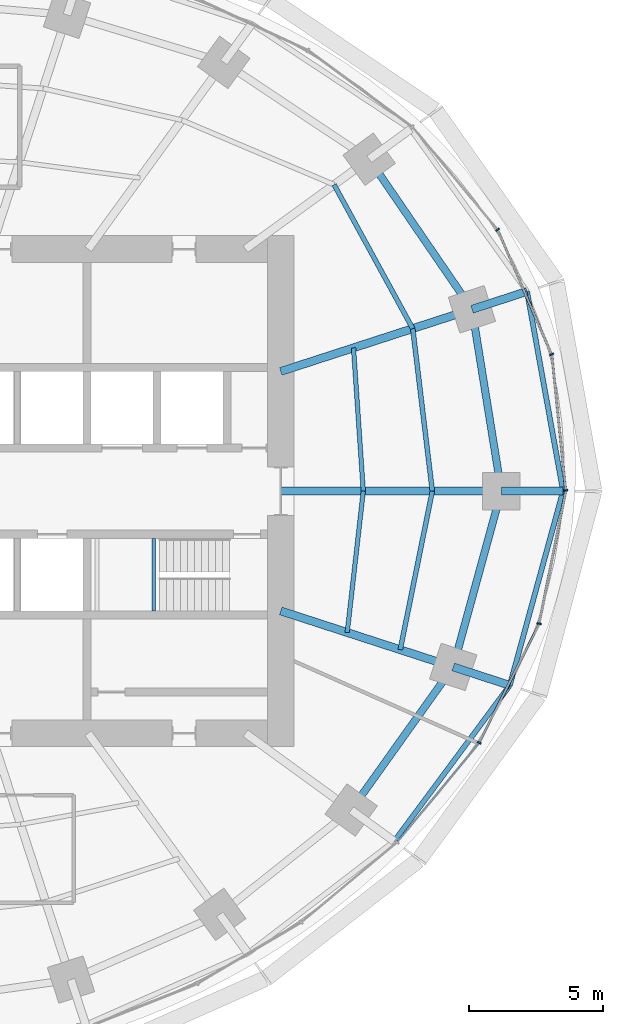
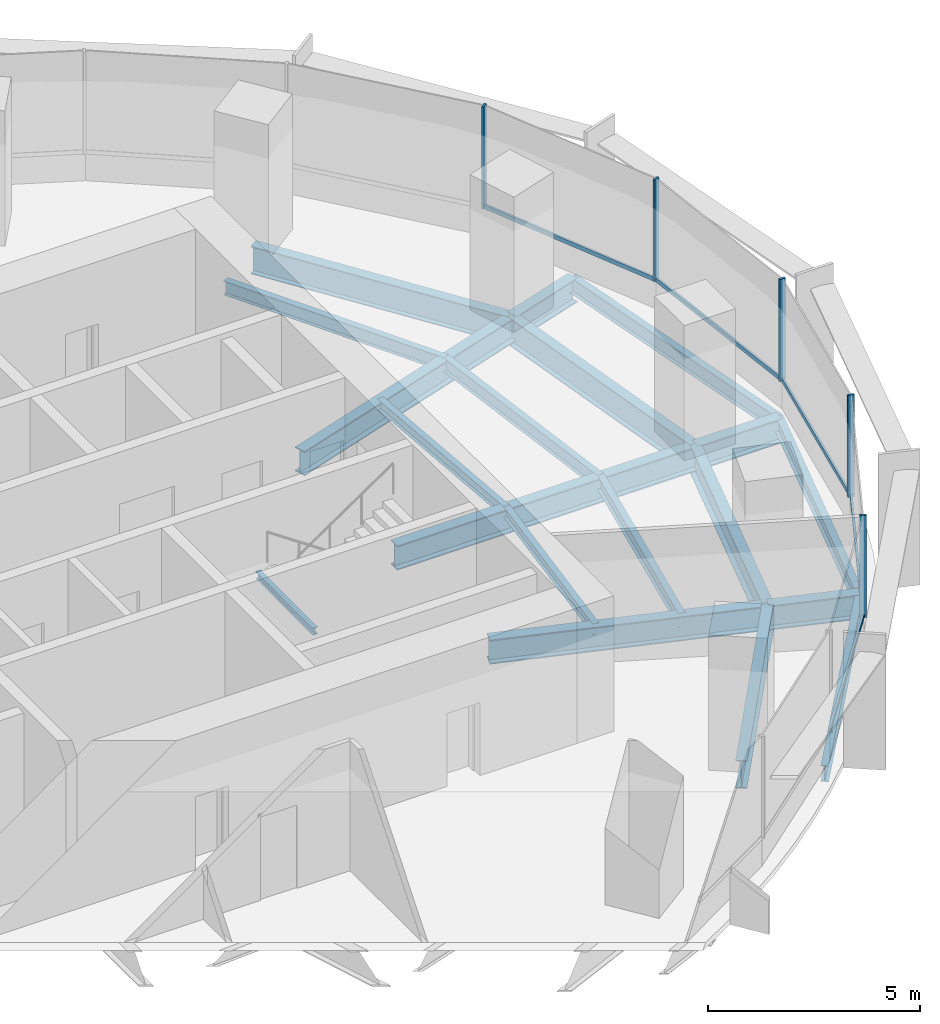
# One storey, part 6 of 14: 19 beams, 10 members, 2 elements without a shape of their own.
"""IFC4 building model written with IfcOpenShell, lengths in metres."""

from ifc_helpers import new_model, si_unit, direction, frame, origin, origin_2d, place, context, subcontext, project, spatial, rectangle, i_section, extrude, material, material_profile, profile_set, type_object, element, aggregate, save


model = new_model("IFC4")

# Units and contexts
model_context = context("Model", 3, precision=1e-05, world=origin(), true_north=direction((0.0, 1.0)))
body_context = subcontext(model_context, "Body", "Model", "MODEL_VIEW")
ifc_project = project(units=[si_unit("LENGTHUNIT", "METRE"), si_unit("AREAUNIT", "SQUARE_METRE"), si_unit("VOLUMEUNIT", "CUBIC_METRE"), si_unit("PLANEANGLEUNIT", "RADIAN"), si_unit("MASSUNIT", "GRAM", prefix="KILO")], contexts=[model_context])

# Site, building, storey
site_placement = place(None, origin())
site = spatial("IfcSite", under=ifc_project, at=site_placement, CompositionType="ELEMENT")
building_placement = place(site_placement, origin())
building = spatial("IfcBuilding", under=site, at=building_placement, Name="Marramba Exchange Tower", CompositionType="ELEMENT")
storey_placement = place(building_placement, frame((0.0, 0.0, 222.800048828125)))
storey = spatial("IfcBuildingStorey", under=building, at=storey_placement, Name="L54", CompositionType="ELEMENT", Elevation=222.800048828125)

# Beams
ifc_material_1 = material(Name="Steel AS/NZS 3679.2 grade 300", Category="steel")
ifc_material_profile_1 = material_profile(ifc_material_1, i_section(OverallWidth=0.300048828125, OverallDepth=0.699951171875, WebThickness=0.010009765625, FlangeThickness=0.031982421875, at=origin_2d()), Name="700WB173")
ifc_profile_set_1 = profile_set([ifc_material_profile_1], Name="Steel AS/NZS 3679.2 grade 300")
beam_type_1 = type_object("IfcBeamType", Name="Cantilever girder 700WB173", PredefinedType="BEAM", material=ifc_profile_set_1)
beam_1_placement = place(storey_placement, frame((21.89990234375, 0.0, -0.510009765625), z_axis=(1.0, 0.0, 0.0), x_axis=(0.0, 1.0, 0.0)))
element("IfcBeam", 1, at=beam_1_placement, inside=storey, type_object=beam_type_1, Name="Cantilever girder L54 TC01", PredefinedType="BEAM", context=body_context, shape_type="SweptSolid", body=[
    extrude(i_section(OverallWidth=0.300048828125, OverallDepth=0.699951171875, WebThickness=0.010009765625, FlangeThickness=0.031982421875, at=origin_2d()), origin(), (0.0, 0.0, 1.0), 2.294189453125),
])
beam_2_placement = place(storey_placement, frame((20.808349609375, 6.760986328125, -0.510009765625), z_axis=(0.951051587859, 0.309032162129, 0.0), x_axis=(-0.309032162129, 0.951051587859, 0.0)))
element("IfcBeam", 2, at=beam_2_placement, inside=storey, type_object=beam_type_1, Name="Cantilever girder L54 TC02", PredefinedType="BEAM", context=body_context, shape_type="SweptSolid", body=[
    extrude(i_section(OverallWidth=0.300048828125, OverallDepth=0.699951171875, WebThickness=0.010009765625, FlangeThickness=0.031982421875, at=origin_2d()), origin(), (0.0, 0.0, 1.0), 2.150390625),
])
beam_3_placement = place(storey_placement, frame((20.109375, -6.533935546875, -0.510009765625), z_axis=(0.951050283347, -0.309036176758, 0.0), x_axis=(0.309036176758, 0.951050283347, 0.0)))
element("IfcBeam", 3, at=beam_3_placement, inside=storey, type_object=beam_type_1, Name="Cantilever girder L54 TC20", PredefinedType="BEAM", context=body_context, shape_type="SweptSolid", body=[
    extrude(i_section(OverallWidth=0.300048828125, OverallDepth=0.699951171875, WebThickness=0.010009765625, FlangeThickness=0.031982421875, at=origin_2d()), origin(), (0.0, 0.0, 1.0), 2.212890625),
])
ifc_material_2 = material(Name="Steel AS/NZS 3679.1 grade 300", Category="steel")
ifc_material_profile_2 = material_profile(ifc_material_2, i_section(OverallWidth=0.166015625, OverallDepth=0.306884765625, WebThickness=0.006591796875, FlangeThickness=0.01171875, FilletRadius=0.011474609375, at=origin_2d()), Name="310UB46.2")
ifc_profile_set_2 = profile_set([ifc_material_profile_2], Name="Steel AS/NZS 3679.1 grade 300")
beam_type_2 = type_object("IfcBeamType", Name="Floor joist 310UB46.2", PredefinedType="JOIST", material=ifc_profile_set_2)
beam_4_placement = place(storey_placement, frame((16.7666015625, 0.0, -0.3134765625), z_axis=(-0.068096259546, 0.99767875563, 0.0), x_axis=(-0.99767875563, -0.068096259546, 0.0)))
element("IfcBeam", 4, at=beam_4_placement, inside=storey, type_object=beam_type_2, Name="Joist L54 bay 01 row 1", PredefinedType="JOIST", context=body_context, shape_type="SweptSolid", body=[
    extrude(i_section(OverallWidth=0.166015625, OverallDepth=0.306884765625, WebThickness=0.006591796875, FlangeThickness=0.01171875, FilletRadius=0.011474609375, at=origin_2d()), origin(), (0.0, 0.0, 1.0), 5.342041015625),
])
beam_5_placement = place(storey_placement, frame((16.169677734375, -5.25390625, -0.3134765625), z_axis=(0.112888968594, 0.993607609054, 0.0), x_axis=(-0.993607609054, 0.112888968594, 0.0)))
element("IfcBeam", 5, at=beam_5_placement, inside=storey, type_object=beam_type_2, Name="Joist L54 bay 20 row 1", PredefinedType="JOIST", context=body_context, shape_type="SweptSolid", body=[
    extrude(i_section(OverallWidth=0.166015625, OverallDepth=0.306884765625, WebThickness=0.006591796875, FlangeThickness=0.01171875, FilletRadius=0.011474609375, at=origin_2d()), origin(), (0.0, 0.0, 1.0), 5.28759765625),
])
ifc_material_profile_3 = material_profile(ifc_material_2, i_section(OverallWidth=0.177978515625, OverallDepth=0.406005859375, WebThickness=0.0078125, FlangeThickness=0.0126953125, FilletRadius=0.011474609375, at=origin_2d()), Name="410UB59.7")
ifc_profile_set_3 = profile_set([ifc_material_profile_3], Name="Steel AS/NZS 3679.1 grade 300")
beam_type_3 = type_object("IfcBeamType", Name="Floor joist 410UB59.7", PredefinedType="JOIST", material=ifc_profile_set_3)
beam_6_placement = place(storey_placement, frame((19.333251953125, 0.0, -0.363037109375), z_axis=(-0.119523078538, 0.992831422597, 0.0), x_axis=(-0.992831422597, -0.119523078538, 0.0)))
element("IfcBeam", 6, at=beam_6_placement, inside=storey, type_object=beam_type_3, Name="Joist L54 bay 01 row 2", PredefinedType="JOIST", context=body_context, shape_type="SweptSolid", body=[
    extrude(i_section(OverallWidth=0.177978515625, OverallDepth=0.406005859375, WebThickness=0.0078125, FlangeThickness=0.0126953125, FilletRadius=0.011474609375, at=origin_2d()), origin(), (0.0, 0.0, 1.0), 6.089111328125),
])
beam_7_placement = place(storey_placement, frame((18.60546875, 6.04541015625, -0.363037109375), z_axis=(-0.479584443791, 0.877495732909, 0.0), x_axis=(-0.877495732909, -0.479584443791, 0.0)))
element("IfcBeam", 7, at=beam_7_placement, inside=storey, type_object=beam_type_3, Name="Joist L54 bay 02 row 2", PredefinedType="JOIST", context=body_context, shape_type="SweptSolid", body=[
    extrude(i_section(OverallWidth=0.177978515625, OverallDepth=0.406005859375, WebThickness=0.0078125, FlangeThickness=0.0126953125, FilletRadius=0.011474609375, at=origin_2d()), origin(), (0.0, 0.0, 1.0), 6.094970703125),
])
beam_8_placement = place(storey_placement, frame((18.1396484375, -5.893798828125, -0.363037109375), z_axis=(0.198489047047, 0.980103105904, 0.0), x_axis=(-0.980103105904, 0.198489047047, 0.0)))
element("IfcBeam", 8, at=beam_8_placement, inside=storey, type_object=beam_type_3, Name="Joist L54 bay 20 row 2", PredefinedType="JOIST", context=body_context, shape_type="SweptSolid", body=[
    extrude(i_section(OverallWidth=0.177978515625, OverallDepth=0.406005859375, WebThickness=0.0078125, FlangeThickness=0.0126953125, FilletRadius=0.011474609375, at=origin_2d()), origin(), (0.0, 0.0, 1.0), 6.013427734375),
])

# Curtain wall, members
ifc_material_3 = material(Name="Aluminium framing, bronze anodised", Category="aluminium")
curtain_wall_type = type_object("IfcCurtainWallType", Name="Office ribbon curtain wall", PredefinedType="USERDEFINED", material=ifc_material_3)
curtain_wall_1_placement = place(storey_placement, origin())
curtain_wall_1 = element("IfcCurtainWall", 9, at=curtain_wall_1_placement, inside=storey, type_object=curtain_wall_type, Name="Curtain wall CW4 L54 F01-F05", ObjectType="RIBBON CURTAIN WALL", PredefinedType="USERDEFINED")
ifc_material_4 = material(Name="Aluminium mullion, bronze anodised", Category="aluminium")
ifc_material_profile_4 = material_profile(ifc_material_4, rectangle(XDim=0.159912109375, YDim=0.06005859375, at=origin_2d()), Name="CW4 mullion 60x160")
ifc_profile_set_4 = profile_set([ifc_material_profile_4], Name="Aluminium mullion, bronze anodised")
member_type_1 = type_object("IfcMemberType", Name="Office ribbon curtain wall mullion", PredefinedType="MULLION", material=ifc_profile_set_4)
member_1_placement = place(storey_placement, frame((24.291015625, 0.02978515625, 0.800048828125), z_axis=(0.0, 0.0, 1.0), x_axis=(-0.994843446001, -0.101422472607, 0.0)))
member_1 = element("IfcMember", 10, at=member_1_placement, type_object=member_type_1, Name="CW4 mullion 1", PredefinedType="MULLION", context=body_context, shape_type="SweptSolid", body=[
    extrude(rectangle(XDim=0.159912109375, YDim=0.06005859375, at=origin_2d()), origin(), (0.0, 0.0, 1.0), 2.93994140625),
])
member_2_placement = place(storey_placement, frame((23.766845703125, 5.081787109375, 0.800048828125), z_axis=(0.0, 0.0, 1.0), x_axis=(-0.918167104527, -0.396193346946, 0.0)))
member_2 = element("IfcMember", 11, at=member_2_placement, type_object=member_type_1, Name="CW4 mullion 1", PredefinedType="MULLION", context=body_context, shape_type="SweptSolid", body=[
    extrude(rectangle(XDim=0.159912109375, YDim=0.06005859375, at=origin_2d()), origin(), (0.0, 0.0, 1.0), 2.93994140625),
])
member_3_placement = place(storey_placement, frame((21.757080078125, 9.718505859375, 0.800048828125), z_axis=(0.0, 0.0, 1.0), x_axis=(-0.770574258342, -0.637350227411, 0.0)))
member_3 = element("IfcMember", 12, at=member_3_placement, type_object=member_type_1, Name="CW4 mullion 1", PredefinedType="MULLION", context=body_context, shape_type="SweptSolid", body=[
    extrude(rectangle(XDim=0.159912109375, YDim=0.06005859375, at=origin_2d()), origin(), (0.0, 0.0, 1.0), 2.93994140625),
])

curtain_wall_2_placement = place(storey_placement, origin())
curtain_wall_2 = element("IfcCurtainWall", 13, at=curtain_wall_2_placement, inside=storey, type_object=curtain_wall_type, Name="Curtain wall CW4 L54 F26-F30", ObjectType="RIBBON CURTAIN WALL", PredefinedType="USERDEFINED")
member_4_placement = place(storey_placement, frame((21.07568359375, -9.3505859375, 0.800048828125), z_axis=(0.0, 0.0, 1.0), x_axis=(-0.892689067591, 0.450673083956, 0.0)))
member_4 = element("IfcMember", 14, at=member_4_placement, type_object=member_type_1, Name="CW4 mullion 1", PredefinedType="MULLION", context=body_context, shape_type="SweptSolid", body=[
    extrude(rectangle(XDim=0.159912109375, YDim=0.06005859375, at=origin_2d()), origin(), (0.0, 0.0, 1.0), 2.93994140625),
])
member_5_placement = place(storey_placement, frame((23.30224609375, -4.92236328125, 0.800048828125), z_axis=(0.0, 0.0, 1.0), x_axis=(-0.980303812539, 0.197495405316, 0.0)))
member_5 = element("IfcMember", 15, at=member_5_placement, type_object=member_type_1, Name="CW4 mullion 1", PredefinedType="MULLION", context=body_context, shape_type="SweptSolid", body=[
    extrude(rectangle(XDim=0.159912109375, YDim=0.06005859375, at=origin_2d()), origin(), (0.0, 0.0, 1.0), 2.93994140625),
])

# Member
ifc_material_5 = material(Name="Aluminium transom, bronze anodised", Category="aluminium")
ifc_material_profile_5 = material_profile(ifc_material_5, rectangle(XDim=0.06005859375, YDim=0.1201171875, at=origin_2d()), Name="CW4 transom 60x120")
ifc_profile_set_5 = profile_set([ifc_material_profile_5], Name="Aluminium transom, bronze anodised")
member_type_2 = type_object("IfcMemberType", Name="Office ribbon curtain wall transom", PredefinedType="USERDEFINED", material=ifc_profile_set_5)
member_6_placement = place(storey_placement, frame((24.287841796875, 0.0595703125, 0.829833984375), z_axis=(-0.101386007846, 0.994847162841, 0.0), x_axis=(-0.994847162841, -0.101386007846, 0.0)))
member_6 = element("IfcMember", 16, at=member_6_placement, type_object=member_type_2, Name="CW4 sill transom", ObjectType="TRANSOM", PredefinedType="USERDEFINED", context=body_context, shape_type="SweptSolid", body=[
    extrude(rectangle(XDim=0.06005859375, YDim=0.1201171875, at=origin_2d()), origin(), (0.0, 0.0, 1.0), 5.020751953125),
])

member_7_placement = place(storey_placement, frame((23.7548828125, 5.109375, 0.829833984375), z_axis=(-0.396177573744, 0.918173910576, 0.0), x_axis=(-0.918173910576, -0.396177573744, 0.0)))
member_7 = element("IfcMember", 17, at=member_7_placement, type_object=member_type_2, Name="CW4 sill transom", ObjectType="TRANSOM", PredefinedType="USERDEFINED", context=body_context, shape_type="SweptSolid", body=[
    extrude(rectangle(XDim=0.06005859375, YDim=0.1201171875, at=origin_2d()), origin(), (0.0, 0.0, 1.0), 4.99462890625),
])

aggregate(curtain_wall_1, [member_1, member_6, member_2, member_7, member_3])

member_8_placement = place(storey_placement, frame((18.03515625, -13.029296875, 0.829833984375), z_axis=(0.638146908901, 0.76991462037, 0.0), x_axis=(-0.76991462037, 0.638146908901, 0.0)))
member_8 = element("IfcMember", 18, at=member_8_placement, type_object=member_type_2, Name="CW4 sill transom", ObjectType="TRANSOM", PredefinedType="USERDEFINED", context=body_context, shape_type="SweptSolid", body=[
    extrude(rectangle(XDim=0.06005859375, YDim=0.1201171875, at=origin_2d()), origin(), (0.0, 0.0, 1.0), 4.7431640625),
])

member_9_placement = place(storey_placement, frame((21.089111328125, -9.323974609375, 0.829833984375), z_axis=(0.450679681949, 0.892685736572, 0.0), x_axis=(-0.892685736572, 0.450679681949, 0.0)))
member_9 = element("IfcMember", 19, at=member_9_placement, type_object=member_type_2, Name="CW4 sill transom", ObjectType="TRANSOM", PredefinedType="USERDEFINED", context=body_context, shape_type="SweptSolid", body=[
    extrude(rectangle(XDim=0.06005859375, YDim=0.1201171875, at=origin_2d()), origin(), (0.0, 0.0, 1.0), 4.897705078125),
])

member_10_placement = place(storey_placement, frame((23.308349609375, -4.89306640625, 0.829833984375), z_axis=(0.197461053167, 0.980310732616, 0.0), x_axis=(-0.980310732616, 0.197461053167, 0.0)))
member_10 = element("IfcMember", 20, at=member_10_placement, type_object=member_type_2, Name="CW4 sill transom", ObjectType="TRANSOM", PredefinedType="USERDEFINED", context=body_context, shape_type="SweptSolid", body=[
    extrude(rectangle(XDim=0.06005859375, YDim=0.1201171875, at=origin_2d()), origin(), (0.0, 0.0, 1.0), 4.991455078125),
])

aggregate(curtain_wall_2, [member_8, member_4, member_9, member_5, member_10])

# Beams
ifc_material_profile_6 = material_profile(ifc_material_1, i_section(OverallWidth=0.300048828125, OverallDepth=0.699951171875, WebThickness=0.010009765625, FlangeThickness=0.031982421875, at=origin_2d()), Name="700WB173")
ifc_profile_set_6 = profile_set([ifc_material_profile_6], Name="Steel AS/NZS 3679.2 grade 300")
beam_type_4 = type_object("IfcBeamType", Name="Radial girder 700WB173", PredefinedType="BEAM", material=ifc_profile_set_6)
beam_9_placement = place(storey_placement, frame((13.699951171875, 0.0, -0.510009765625), z_axis=(1.0, 0.0, 0.0), x_axis=(0.0, 1.0, 0.0)))
element("IfcBeam", 21, at=beam_9_placement, inside=storey, type_object=beam_type_4, Name="Radial girder L54 TC01", PredefinedType="BEAM", context=body_context, shape_type="SweptSolid", body=[
    extrude(i_section(OverallWidth=0.300048828125, OverallDepth=0.699951171875, WebThickness=0.010009765625, FlangeThickness=0.031982421875, at=origin_2d()), origin(), (0.0, 0.0, 1.0), 8.199951171875),
])
beam_10_placement = place(storey_placement, frame((13.699951171875, 4.451416015625, -0.510009765625), z_axis=(0.951059990189, 0.309006302624, 0.0), x_axis=(-0.309006302624, 0.951059990189, 0.0)))
element("IfcBeam", 22, at=beam_10_placement, inside=storey, type_object=beam_type_4, Name="Radial girder L54 TC02", PredefinedType="BEAM", context=body_context, shape_type="SweptSolid", body=[
    extrude(i_section(OverallWidth=0.300048828125, OverallDepth=0.699951171875, WebThickness=0.010009765625, FlangeThickness=0.031982421875, at=origin_2d()), origin(), (0.0, 0.0, 1.0), 7.47412109375),
])
beam_11_placement = place(storey_placement, frame((13.699951171875, -4.451416015625, -0.510009765625), z_axis=(0.951057759669, -0.309013167637, 0.0), x_axis=(0.309013167637, 0.951057759669, 0.0)))
element("IfcBeam", 23, at=beam_11_placement, inside=storey, type_object=beam_type_4, Name="Radial girder L54 TC20", PredefinedType="BEAM", context=body_context, shape_type="SweptSolid", body=[
    extrude(i_section(OverallWidth=0.300048828125, OverallDepth=0.699951171875, WebThickness=0.010009765625, FlangeThickness=0.031982421875, at=origin_2d()), origin(), (0.0, 0.0, 1.0), 6.7392578125),
])
ifc_material_profile_7 = material_profile(ifc_material_1, i_section(OverallWidth=0.27490234375, OverallDepth=0.800048828125, WebThickness=0.010009765625, FlangeThickness=0.02490234375, at=origin_2d()), Name="800WB168")
ifc_profile_set_7 = profile_set([ifc_material_profile_7], Name="Steel AS/NZS 3679.2 grade 300")
beam_type_5 = type_object("IfcBeamType", Name="Ring beam 800WB168", PredefinedType="SPANDREL", material=ifc_profile_set_7)
beam_12_placement = place(storey_placement, frame((21.89990234375, 0.0, -0.56005859375), z_axis=(-0.159384865399, 0.987216523708, 0.0), x_axis=(-0.987216523708, -0.159384865399, 0.0)))
element("IfcBeam", 24, at=beam_12_placement, inside=storey, type_object=beam_type_5, Name="Ring beam L54 TC01-TC02", PredefinedType="SPANDREL", context=body_context, shape_type="SweptSolid", body=[
    extrude(i_section(OverallWidth=0.27490234375, OverallDepth=0.800048828125, WebThickness=0.010009765625, FlangeThickness=0.02490234375, at=origin_2d()), origin(), (0.0, 0.0, 1.0), 6.8486328125),
])
beam_13_placement = place(storey_placement, frame((20.808349609375, 6.760986328125, -0.56005859375), z_axis=(-0.56516002054, 0.824981303535, 0.0), x_axis=(-0.824981303535, -0.56516002054, 0.0)))
element("IfcBeam", 25, at=beam_13_placement, inside=storey, type_object=beam_type_5, Name="Ring beam L54 TC02-TC03", PredefinedType="SPANDREL", context=body_context, shape_type="SweptSolid", body=[
    extrude(i_section(OverallWidth=0.27490234375, OverallDepth=0.800048828125, WebThickness=0.010009765625, FlangeThickness=0.02490234375, at=origin_2d()), origin(), (0.0, 0.0, 1.0), 6.763671875),
])
beam_14_placement = place(storey_placement, frame((16.3154296875, -11.853759765625, -0.56005859375), z_axis=(0.580637181111, 0.814162430914, 0.0), x_axis=(-0.814162430914, 0.580637181111, 0.0)))
element("IfcBeam", 26, at=beam_14_placement, inside=storey, type_object=beam_type_5, Name="Ring beam L54 TC19-TC20", PredefinedType="SPANDREL", context=body_context, shape_type="SweptSolid", body=[
    extrude(i_section(OverallWidth=0.27490234375, OverallDepth=0.800048828125, WebThickness=0.010009765625, FlangeThickness=0.02490234375, at=origin_2d()), origin(), (0.0, 0.0, 1.0), 6.5341796875),
])
beam_15_placement = place(storey_placement, frame((20.109375, -6.533935546875, -0.56005859375), z_axis=(0.264291166956, 0.964442937176, 0.0), x_axis=(-0.964442937176, 0.264291166956, 0.0)))
element("IfcBeam", 27, at=beam_15_placement, inside=storey, type_object=beam_type_5, Name="Ring beam L54 TC20-TC01", PredefinedType="SPANDREL", context=body_context, shape_type="SweptSolid", body=[
    extrude(i_section(OverallWidth=0.27490234375, OverallDepth=0.800048828125, WebThickness=0.010009765625, FlangeThickness=0.02490234375, at=origin_2d()), origin(), (0.0, 0.0, 1.0), 6.77490234375),
])
ifc_material_profile_8 = material_profile(ifc_material_2, i_section(OverallWidth=0.19091796875, OverallDepth=0.4599609375, WebThickness=0.010009765625, FlangeThickness=0.01611328125, FilletRadius=0.011474609375, at=origin_2d()), Name="460UB82.1")
ifc_profile_set_8 = profile_set([ifc_material_profile_8], Name="Steel AS/NZS 3679.1 grade 300")
beam_type_6 = type_object("IfcBeamType", Name="Slab edge beam 460UB82.1", PredefinedType="SPANDREL", material=ifc_profile_set_8)
beam_16_placement = place(storey_placement, frame((24.194091796875, 0.0, -0.39013671875), z_axis=(-0.177663817107, 0.984091239719, 0.0), x_axis=(-0.984091239719, -0.177663817107, 0.0)))
element("IfcBeam", 28, at=beam_16_placement, inside=storey, type_object=beam_type_6, Name="Slab edge beam L54 TC01-TC02", PredefinedType="SPANDREL", context=body_context, shape_type="SweptSolid", body=[
    extrude(i_section(OverallWidth=0.19091796875, OverallDepth=0.4599609375, WebThickness=0.010009765625, FlangeThickness=0.01611328125, FilletRadius=0.011474609375, at=origin_2d()), origin(), (0.0, 0.0, 1.0), 7.545654296875),
])
beam_17_placement = place(storey_placement, frame((17.916015625, -13.016845703125, -0.39013671875), z_axis=(0.595428136035, 0.803408572781, 0.0), x_axis=(-0.803408572781, 0.595428136035, 0.0)))
element("IfcBeam", 29, at=beam_17_placement, inside=storey, type_object=beam_type_6, Name="Slab edge beam L54 TC19-TC20", PredefinedType="SPANDREL", context=body_context, shape_type="SweptSolid", body=[
    extrude(i_section(OverallWidth=0.19091796875, OverallDepth=0.4599609375, WebThickness=0.010009765625, FlangeThickness=0.01611328125, FilletRadius=0.011474609375, at=origin_2d()), origin(), (0.0, 0.0, 1.0), 7.218017578125),
])
beam_18_placement = place(storey_placement, frame((22.2138671875, -7.2177734375, -0.39013671875), z_axis=(0.264577205901, 0.964364506874, 0.0), x_axis=(-0.964364506874, 0.264577205901, 0.0)))
element("IfcBeam", 30, at=beam_18_placement, inside=storey, type_object=beam_type_6, Name="Slab edge beam L54 TC20-TC01", PredefinedType="SPANDREL", context=body_context, shape_type="SweptSolid", body=[
    extrude(i_section(OverallWidth=0.19091796875, OverallDepth=0.4599609375, WebThickness=0.010009765625, FlangeThickness=0.01611328125, FilletRadius=0.011474609375, at=origin_2d()), origin(), (0.0, 0.0, 1.0), 7.484375),
])
ifc_material_profile_9 = material_profile(ifc_material_2, i_section(OverallWidth=0.133056640625, OverallDepth=0.202880859375, WebThickness=0.005859375, FlangeThickness=0.0078125, FilletRadius=0.0087890625, at=origin_2d()), Name="200UB25.4")
ifc_profile_set_9 = profile_set([ifc_material_profile_9], Name="Steel AS/NZS 3679.1 grade 300")
beam_type_7 = type_object("IfcBeamType", Name="Stair landing beam 200UB25.4", PredefinedType="BEAM", material=ifc_profile_set_9)
beam_19_placement = place(storey_placement, frame((8.9833984375, -4.449951171875, 1.6484375), z_axis=(0.0, 1.0, 0.0), x_axis=(-1.0, 0.0, 0.0)))
element("IfcBeam", 31, at=beam_19_placement, inside=storey, type_object=beam_type_7, Name="Stair landing beam SLB1 ST2 L54 2", PredefinedType="BEAM", context=body_context, shape_type="SweptSolid", body=[
    extrude(i_section(OverallWidth=0.133056640625, OverallDepth=0.202880859375, WebThickness=0.005859375, FlangeThickness=0.0078125, FilletRadius=0.0087890625, at=origin_2d()), origin(), (0.0, 0.0, 1.0), 2.699951171875),
])

save(model, "model.ifc")
